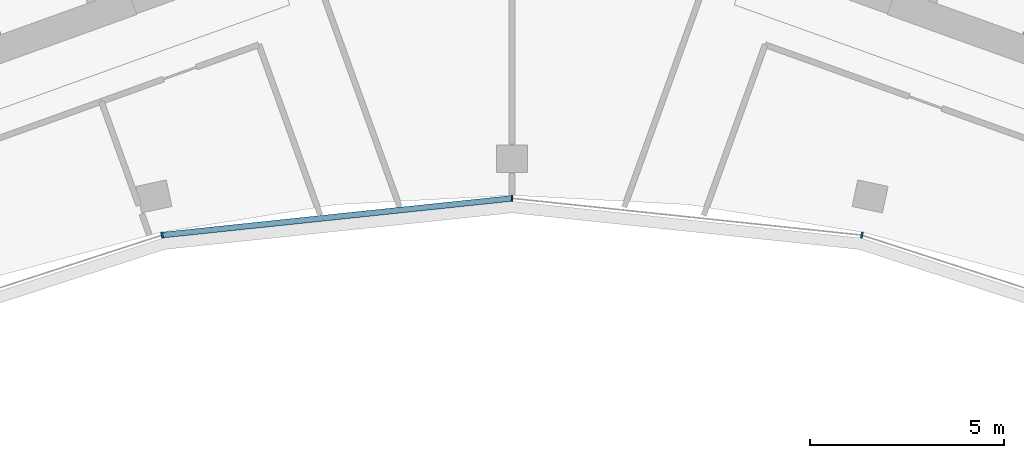
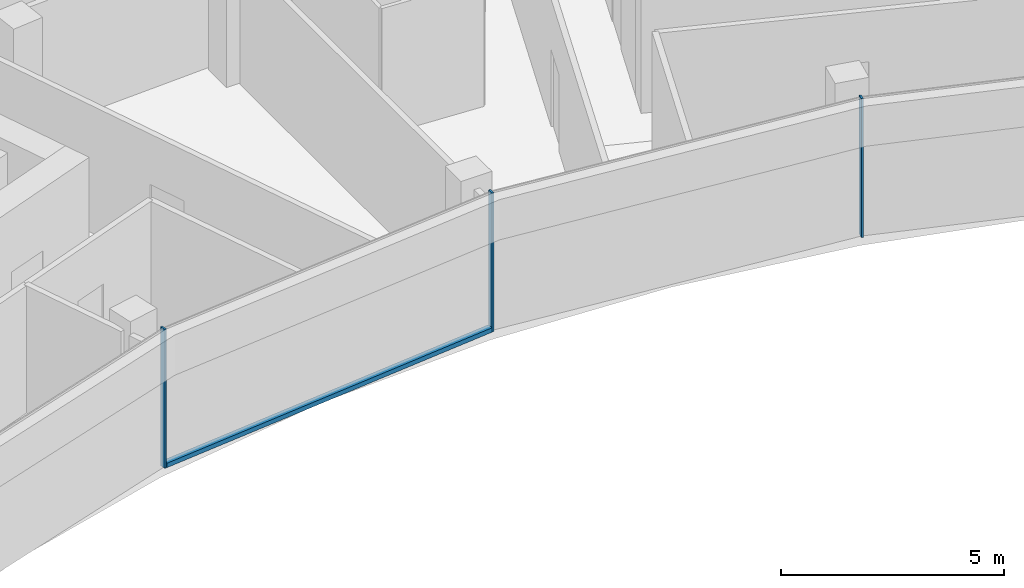
# One storey, part 5 of 19: 4 members, 1 element without a shape of its own.
"""IFC4 building model written with IfcOpenShell, lengths in metres."""

from ifc_helpers import new_model, si_unit, direction, frame, origin, origin_2d, place, context, subcontext, project, spatial, rectangle, extrude, material, layer, layer_set, material_profile, profile_set, type_object, element, aggregate, save


model = new_model("IFC4")

# Units and contexts
model_context = context("Model", 3, precision=1e-05, world=origin(), true_north=direction((0.0, 1.0)))
body_context = subcontext(model_context, "Body", "Model", "MODEL_VIEW")
ifc_project = project(units=[si_unit("LENGTHUNIT", "METRE"), si_unit("AREAUNIT", "SQUARE_METRE"), si_unit("VOLUMEUNIT", "CUBIC_METRE"), si_unit("PLANEANGLEUNIT", "RADIAN"), si_unit("MASSUNIT", "GRAM", prefix="KILO")], contexts=[model_context])

# Site, building, storey
site_placement = place(None, origin())
site = spatial("IfcSite", under=ifc_project, at=site_placement, CompositionType="ELEMENT")
building_placement = place(site_placement, origin())
building = spatial("IfcBuilding", under=site, at=building_placement, Name="Stone Belt Terrace Tower", CompositionType="ELEMENT")
storey_placement = place(building_placement, frame((0.0, 0.0, 280.800048828125)))
storey = spatial("IfcBuildingStorey", under=building, at=storey_placement, Name="L68", CompositionType="ELEMENT", Elevation=280.800048828125)

# Curtain wall, members
ifc_material = material(Name="Aluminium 6063-T6 anodised frame", Category="aluminium")
ifc_layer = layer(ifc_material, 0.14990234375)
ifc_layer_set = layer_set([ifc_layer], Name="CW-B unitised concave-face curtain wall")
curtain_wall_type = type_object("IfcCurtainWallType", Name="CW-B unitised concave-face curtain wall", PredefinedType="NOTDEFINED", material=ifc_layer_set)
curtain_wall_placement = place(storey_placement, origin())
curtain_wall = element("IfcCurtainWall", 1, at=curtain_wall_placement, inside=storey, type_object=curtain_wall_type, Name="CW-B concave face L68", PredefinedType="NOTDEFINED")
ifc_material_profile_1 = material_profile(ifc_material, rectangle(XDim=0.14990234375, YDim=0.050048828125, at=origin_2d()), Name="Aluminium 6063-T6 50x150")
ifc_profile_set_1 = profile_set([ifc_material_profile_1], Name="Aluminium 6063-T6 anodised frame")
member_type_1 = type_object("IfcMemberType", Name="CW-B mullion 50 x 150", PredefinedType="MULLION", material=ifc_profile_set_1)
member_1_placement = place(storey_placement, frame((-9.028564453125, 42.4755859375, 0.0), z_axis=(0.0, 0.0, 1.0), x_axis=(-0.207911690818, 0.978147600734, 0.0)))
member_1 = element("IfcMember", 2, at=member_1_placement, type_object=member_type_1, Name="CW-B mullion 4", PredefinedType="MULLION", context=body_context, shape_type="SweptSolid", body=[
    extrude(rectangle(XDim=0.14990234375, YDim=0.050048828125, at=origin_2d()), origin(), (0.0, 0.0, 1.0), 3.800048828125),
])
member_2_placement = place(storey_placement, frame((0.0, 43.424560546875, 0.0), z_axis=(0.0, 0.0, 1.0), x_axis=(0.0, 1.0, 0.0)))
member_2 = element("IfcMember", 3, at=member_2_placement, type_object=member_type_1, Name="CW-B mullion 5", PredefinedType="MULLION", context=body_context, shape_type="SweptSolid", body=[
    extrude(rectangle(XDim=0.14990234375, YDim=0.050048828125, at=origin_2d()), origin(), (0.0, 0.0, 1.0), 3.800048828125),
])
member_3_placement = place(storey_placement, frame((9.028564453125, 42.4755859375, 0.0), z_axis=(0.0, 0.0, 1.0), x_axis=(0.207911690818, 0.978147600734, 0.0)))
member_3 = element("IfcMember", 4, at=member_3_placement, type_object=member_type_1, Name="CW-B mullion 6", PredefinedType="MULLION", context=body_context, shape_type="SweptSolid", body=[
    extrude(rectangle(XDim=0.14990234375, YDim=0.050048828125, at=origin_2d()), origin(), (0.0, 0.0, 1.0), 3.800048828125),
])
ifc_material_profile_2 = material_profile(ifc_material, rectangle(XDim=0.14990234375, YDim=0.1201171875, at=origin_2d()), Name="Aluminium 6063-T6 150x120")
ifc_profile_set_2 = profile_set([ifc_material_profile_2], Name="Aluminium 6063-T6 anodised frame")
member_type_2 = type_object("IfcMemberType", Name="CW-B transom 120 x 150", PredefinedType="USERDEFINED", material=ifc_profile_set_2)
member_4_placement = place(storey_placement, frame((-8.995849609375, 42.47900390625, 0.06005859375), z_axis=(0.994521323407, 0.104533904969, 0.0), x_axis=(-0.104533904969, 0.994521323407, 0.0)))
member_4 = element("IfcMember", 5, at=member_4_placement, type_object=member_type_2, Name="CW-B transom 4.1", ObjectType="TRANSOM", PredefinedType="USERDEFINED", context=body_context, shape_type="SweptSolid", body=[
    extrude(rectangle(XDim=0.14990234375, YDim=0.1201171875, at=origin_2d()), origin(), (0.0, 0.0, 1.0), 9.0126953125),
])
aggregate(curtain_wall, [member_1, member_2, member_3, member_4])

save(model, "model.ifc")
